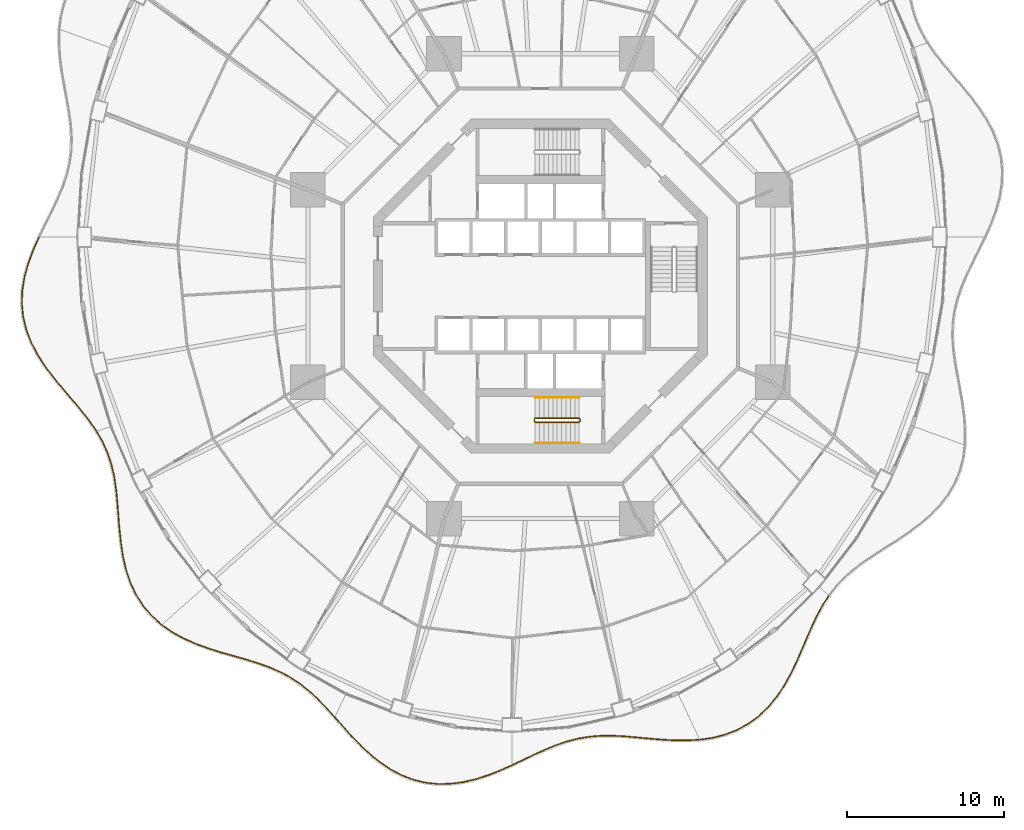
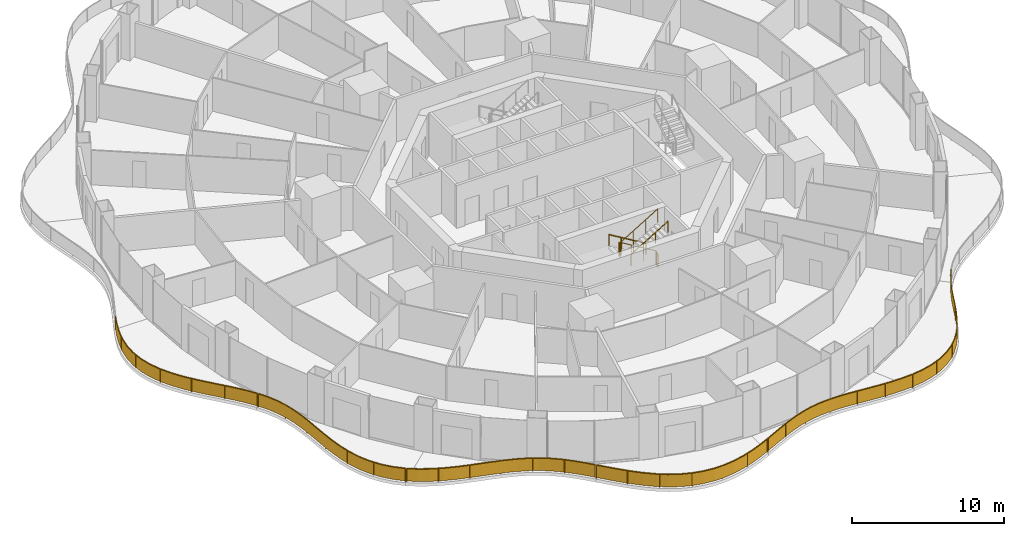
# One storey, part 20 of 22: 9 railings.
"""IFC4 building model written with IfcOpenShell, lengths in metres."""

from ifc_helpers import new_model, si_unit, direction, frame, origin, origin_2d, place, context, subcontext, project, spatial, polyline, rectangle, circle, outline, extrude, material, type_object, element, save


model = new_model("IFC4")

# Units and contexts
model_context = context("Model", 3, precision=1e-05, world=origin(), true_north=direction((0.0, 1.0)))
body_context = subcontext(model_context, "Body", "Model", "MODEL_VIEW")
ifc_project = project(units=[si_unit("LENGTHUNIT", "METRE"), si_unit("AREAUNIT", "SQUARE_METRE"), si_unit("VOLUMEUNIT", "CUBIC_METRE"), si_unit("PLANEANGLEUNIT", "RADIAN"), si_unit("MASSUNIT", "GRAM", prefix="KILO")], contexts=[model_context])

# Site, building, storey
site_placement = place(None, origin())
site = spatial("IfcSite", under=ifc_project, at=site_placement, CompositionType="ELEMENT")
building_placement = place(site_placement, origin())
building = spatial("IfcBuilding", under=site, at=building_placement, Name="Nagisa Residences", CompositionType="ELEMENT")
storey_placement = place(building_placement, frame((0.0, 0.0, 95.5)))
storey = spatial("IfcBuildingStorey", under=building, at=storey_placement, Name="L23", CompositionType="ELEMENT", Elevation=95.5)

# Railings
ifc_material_1 = material(Name="Stainless steel 316", Category="steel")
railing_type_1 = type_object("IfcRailingType", Name="BALCONY GUARD 1100", PredefinedType="BALUSTRADE", material=ifc_material_1)
railing_1_placement = place(storey_placement, frame((-31.89794921875, 3.082763671875, 0.0)))
element("IfcRailing", 1, at=railing_1_placement, inside=storey, type_object=railing_type_1, Name="guard:L23:bal08-0", PredefinedType="BALUSTRADE", context=body_context, shape_type="SweptSolid", body=[
    extrude(outline(polyline([(-0.32958984375, -0.798583984375), (0.02294921875, -0.01025390625), (-0.02294921875, 0.01025390625), (-0.3759765625, -0.779541015625), (-0.69140625, -1.62646484375), (-0.929443359375, -2.484130859375), (-1.0712890625, -3.346923828125), (-1.10302734375, -4.207275390625), (-1.0185546875, -5.044677734375), (-0.81494140625, -5.87939453125), (-0.50048828125, -6.690673828125), (-0.08837890625, -7.4755859375), (0.403076171875, -8.231201171875), (0.947509765625, -8.945068359375), (1.526123046875, -9.647216796875), (2.1103515625, -10.330078125), (2.6748046875, -11.001708984375), (3.197998046875, -11.6708984375), (3.6396484375, -12.31298828125), (3.6806640625, -12.28466796875), (3.238525390625, -11.64111328125), (2.7138671875, -10.969970703125), (2.1484375, -10.2978515625), (1.564697265625, -9.614990234375), (0.986572265625, -8.913818359375), (0.444091796875, -8.202392578125), (-0.044921875, -7.4501953125), (-0.455078125, -6.670166015625), (-0.76708984375, -5.8642578125), (-0.96923828125, -5.036376953125), (-1.052734375, -4.205810546875), (-1.021484375, -3.351806640625), (-0.880615234375, -2.494873046875), (-0.6435546875, -1.64208984375), (-0.32958984375, -0.798583984375)])), frame((0.0, 0.0, 1.050048828125)), (0.0, 0.0, 1.0), 0.050048828125),
    extrude(outline(polyline([(-0.34619140625, -0.791748046875), (0.00634765625, -0.0029296875), (-0.00634765625, 0.0029296875), (-0.359375, -0.786376953125), (-0.674072265625, -1.632080078125), (-0.911865234375, -2.488037109375), (-1.053466796875, -3.3486328125), (-1.0849609375, -4.206787109375), (-1.000732421875, -5.041748046875), (-0.797607421875, -5.8740234375), (-0.484130859375, -6.683349609375), (-0.07275390625, -7.466552734375), (0.41796875, -8.220947265625), (0.961669921875, -8.933837890625), (1.5400390625, -9.635498046875), (2.1240234375, -10.318603515625), (2.68896484375, -10.990234375), (3.212646484375, -11.66015625), (3.654296875, -12.302734375), (3.666015625, -12.294921875), (3.223876953125, -11.65185546875), (2.69970703125, -10.9814453125), (2.134765625, -10.309326171875), (1.55078125, -9.626708984375), (0.972412109375, -8.925048828125), (0.42919921875, -8.212646484375), (-0.060546875, -7.459228515625), (-0.471435546875, -6.677490234375), (-0.784423828125, -5.86962890625), (-0.987060546875, -5.039306640625), (-1.07080078125, -4.206298828125), (-1.039306640625, -3.35009765625), (-0.898193359375, -2.490966796875), (-0.660888671875, -1.636474609375), (-0.34619140625, -0.791748046875)])), frame((0.0, 0.0, 0.06005859375)), (0.0, 0.0, 1.0), 0.989990234375),
    extrude(rectangle(XDim=0.0400390625, YDim=0.0400390625, at=origin_2d()), origin(), (0.0, 0.0, 1.0), 1.050048828125),
    extrude(rectangle(XDim=0.0400390625, YDim=0.0400390625, at=origin_2d()), frame((-0.816650390625, -2.171142578125, 0.0)), (0.0, 0.0, 1.0), 1.050048828125),
    extrude(rectangle(XDim=0.0400390625, YDim=0.0400390625, at=origin_2d()), frame((-1.051513671875, -4.46875, 0.0)), (0.0, 0.0, 1.0), 1.050048828125),
    extrude(rectangle(XDim=0.0400390625, YDim=0.0400390625, at=origin_2d()), frame((-0.4658203125, -6.703369140625, 0.0)), (0.0, 0.0, 1.0), 1.050048828125),
    extrude(rectangle(XDim=0.0400390625, YDim=0.0400390625, at=origin_2d()), frame((0.766845703125, -8.666748046875, 0.0)), (0.0, 0.0, 1.0), 1.050048828125),
    extrude(rectangle(XDim=0.0400390625, YDim=0.0400390625, at=origin_2d()), frame((2.24853515625, -10.455810546875, 0.0)), (0.0, 0.0, 1.0), 1.050048828125),
    extrude(rectangle(XDim=0.0400390625, YDim=0.0400390625, at=origin_2d()), frame((3.66015625, -12.298828125, 0.0)), (0.0, 0.0, 1.0), 1.050048828125),
])
railing_2_placement = place(storey_placement, frame((-28.198486328125, -9.27490234375, 0.0)))
element("IfcRailing", 2, at=railing_2_placement, inside=storey, type_object=railing_type_1, Name="guard:L23:bal09-0", PredefinedType="BALUSTRADE", context=body_context, shape_type="SweptSolid", body=[
    extrude(outline(polyline([(0.3857421875, -0.625732421875), (0.021728515625, 0.012451171875), (-0.021728515625, -0.012451171875), (0.3408203125, -0.648193359375), (0.652099609375, -1.34423828125), (0.892578125, -2.07080078125), (1.068359375, -2.83154296875), (1.191162109375, -3.6279296875), (1.27001953125, -4.444091796875), (1.3369140625, -5.30078125), (1.40625, -6.176025390625), (1.499267578125, -7.05859375), (1.636474609375, -7.93505859375), (1.828125, -8.77880859375), (2.104736328125, -9.599609375), (2.46826171875, -10.371826171875), (2.923583984375, -11.0830078125), (3.470947265625, -11.724609375), (4.06884765625, -12.258056640625), (4.10205078125, -12.220947265625), (3.506591796875, -11.689453125), (2.964111328125, -11.05322265625), (2.51220703125, -10.347412109375), (2.151123046875, -9.5810546875), (1.87646484375, -8.76513671875), (1.685791015625, -7.92578125), (1.549072265625, -7.05224609375), (1.4560546875, -6.171630859375), (1.38671875, -5.296875), (1.31982421875, -4.439697265625), (1.240966796875, -3.62158203125), (1.11767578125, -2.822265625), (0.94091796875, -2.05712890625), (0.698974609375, -1.326171875), (0.3857421875, -0.625732421875)])), frame((0.0, 0.0, 1.050048828125)), (0.0, 0.0, 1.0), 0.050048828125),
    extrude(outline(polyline([(0.36962890625, -0.6337890625), (0.006103515625, 0.00341796875), (-0.006103515625, -0.00341796875), (0.35693359375, -0.64013671875), (0.6689453125, -1.337646484375), (0.909912109375, -2.06591796875), (1.086181640625, -2.828125), (1.209228515625, -3.625732421875), (1.287841796875, -4.4423828125), (1.354736328125, -5.29931640625), (1.424072265625, -6.174560546875), (1.517333984375, -7.056396484375), (1.654296875, -7.931640625), (1.845458984375, -8.77392578125), (2.121337890625, -9.593017578125), (2.484130859375, -10.363037109375), (2.938232421875, -11.072265625), (3.483642578125, -11.7119140625), (4.080810546875, -12.24462890625), (4.090087890625, -12.234375), (3.493896484375, -11.7021484375), (2.949462890625, -11.06396484375), (2.496337890625, -10.356201171875), (2.134521484375, -9.587646484375), (1.859130859375, -8.77001953125), (1.66796875, -7.92919921875), (1.531005859375, -7.054443359375), (1.438232421875, -6.173095703125), (1.368896484375, -5.29833984375), (1.302001953125, -4.44140625), (1.222900390625, -3.623779296875), (1.099853515625, -2.82568359375), (0.923583984375, -2.06201171875), (0.68212890625, -1.332763671875), (0.36962890625, -0.6337890625)])), frame((0.0, 0.0, 0.06005859375)), (0.0, 0.0, 1.0), 0.989990234375),
    extrude(rectangle(XDim=0.0400390625, YDim=0.0400390625, at=origin_2d()), origin(), (0.0, 0.0, 1.0), 1.050048828125),
    extrude(rectangle(XDim=0.0400390625, YDim=0.0400390625, at=origin_2d()), frame((0.8984375, -2.008544921875, 0.0)), (0.0, 0.0, 1.0), 1.050048828125),
    extrude(rectangle(XDim=0.0400390625, YDim=0.0400390625, at=origin_2d()), frame((1.269775390625, -4.1806640625, 0.0)), (0.0, 0.0, 1.0), 1.050048828125),
    extrude(rectangle(XDim=0.0400390625, YDim=0.0400390625, at=origin_2d()), frame((1.452880859375, -6.38037109375, 0.0)), (0.0, 0.0, 1.0), 1.050048828125),
    extrude(rectangle(XDim=0.0400390625, YDim=0.0400390625, at=origin_2d()), frame((1.803466796875, -8.557373046875, 0.0)), (0.0, 0.0, 1.0), 1.050048828125),
    extrude(rectangle(XDim=0.0400390625, YDim=0.0400390625, at=origin_2d()), frame((2.6376953125, -10.58984375, 0.0)), (0.0, 0.0, 1.0), 1.050048828125),
    extrude(rectangle(XDim=0.0400390625, YDim=0.0400390625, at=origin_2d()), frame((4.08544921875, -12.239501953125, 0.0)), (0.0, 0.0, 1.0), 1.050048828125),
])
railing_3_placement = place(storey_placement, frame((-24.05224609375, -21.56201171875, 0.0)))
element("IfcRailing", 3, at=railing_3_placement, inside=storey, type_object=railing_type_1, Name="guard:L23:bal10-0", PredefinedType="BALUSTRADE", context=body_context, shape_type="SweptSolid", body=[
    extrude(outline(polyline([(0.6474609375, -0.418701171875), (0.01416015625, 0.0205078125), (-0.01416015625, -0.0205078125), (0.62109375, -0.461181640625), (1.351806640625, -0.864013671875), (2.125, -1.207275390625), (2.925048828125, -1.500732421875), (3.736572265625, -1.757080078125), (4.531982421875, -1.980712890625), (5.322509765625, -2.2080078125), (6.085205078125, -2.445068359375), (6.8125, -2.70654296875), (7.500244140625, -3.005615234375), (8.13427734375, -3.34375), (8.744873046875, -3.74560546875), (9.324462890625, -4.204833984375), (9.8818359375, -4.71923828125), (10.4267578125, -5.282470703125), (10.9384765625, -5.851318359375), (10.9755859375, -5.817626953125), (10.46337890625, -5.248291015625), (9.9169921875, -4.68359375), (9.357177734375, -4.166748046875), (8.774169921875, -3.705078125), (8.15966796875, -3.30078125), (7.522216796875, -2.960693359375), (6.8310546875, -2.66015625), (6.101318359375, -2.397705078125), (5.336669921875, -2.16015625), (4.545654296875, -1.932373046875), (3.750732421875, -1.709228515625), (2.941162109375, -1.453369140625), (2.1435546875, -1.160888671875), (1.374267578125, -0.819091796875), (0.6474609375, -0.418701171875)])), frame((0.0, 0.0, 1.050048828125)), (0.0, 0.0, 1.0), 0.050048828125),
    extrude(outline(polyline([(0.637939453125, -0.43408203125), (0.00390625, 0.005859375), (-0.00390625, -0.005859375), (0.630615234375, -0.44580078125), (1.35986328125, -0.847900390625), (2.131591796875, -1.190673828125), (2.930908203125, -1.483642578125), (3.74169921875, -1.73974609375), (4.536865234375, -1.96337890625), (5.32763671875, -2.190673828125), (6.091064453125, -2.427978515625), (6.819091796875, -2.68994140625), (7.50830078125, -2.989501953125), (8.143310546875, -3.328369140625), (8.75537109375, -3.73095703125), (9.336181640625, -4.191162109375), (9.89453125, -4.70654296875), (10.43994140625, -5.270263671875), (10.951904296875, -5.839111328125), (10.962158203125, -5.829833984375), (10.4501953125, -5.260498046875), (9.904296875, -4.6962890625), (9.345458984375, -4.180419921875), (8.763671875, -3.7197265625), (8.150634765625, -3.316162109375), (7.51416015625, -2.976806640625), (6.824462890625, -2.6767578125), (6.095458984375, -2.414794921875), (5.33154296875, -2.177490234375), (4.540771484375, -1.94970703125), (3.74560546875, -1.7265625), (2.935302734375, -1.470458984375), (2.136962890625, -1.177490234375), (1.3662109375, -0.835205078125), (0.637939453125, -0.43408203125)])), frame((0.0, 0.0, 0.06005859375)), (0.0, 0.0, 1.0), 0.989990234375),
    extrude(rectangle(XDim=0.0400390625, YDim=0.0400390625, at=origin_2d()), origin(), (0.0, 0.0, 1.0), 1.050048828125),
    extrude(rectangle(XDim=0.0400390625, YDim=0.0400390625, at=origin_2d()), frame((1.82080078125, -1.044921875, 0.0)), (0.0, 0.0, 1.0), 1.050048828125),
    extrude(rectangle(XDim=0.0400390625, YDim=0.0400390625, at=origin_2d()), frame((3.80224609375, -1.74951171875, 0.0)), (0.0, 0.0, 1.0), 1.050048828125),
    extrude(rectangle(XDim=0.0400390625, YDim=0.0400390625, at=origin_2d()), frame((5.8232421875, -2.33740234375, 0.0)), (0.0, 0.0, 1.0), 1.050048828125),
    extrude(rectangle(XDim=0.0400390625, YDim=0.0400390625, at=origin_2d()), frame((7.7724609375, -3.12255859375, 0.0)), (0.0, 0.0, 1.0), 1.050048828125),
    extrude(rectangle(XDim=0.0400390625, YDim=0.0400390625, at=origin_2d()), frame((9.491943359375, -4.3251953125, 0.0)), (0.0, 0.0, 1.0), 1.050048828125),
    extrude(rectangle(XDim=0.0400390625, YDim=0.0400390625, at=origin_2d()), frame((10.95703125, -5.83447265625, 0.0)), (0.0, 0.0, 1.0), 1.050048828125),
])
railing_4_placement = place(storey_placement, frame((-13.046630859375, -27.453857421875, 0.0)))
element("IfcRailing", 4, at=railing_4_placement, inside=storey, type_object=railing_type_1, Name="guard:L23:bal11-0", PredefinedType="BALUSTRADE", context=body_context, shape_type="SweptSolid", body=[
    extrude(outline(polyline([(0.51904296875, -0.552490234375), (0.018798828125, 0.0166015625), (-0.018798828125, -0.0166015625), (0.48193359375, -0.585693359375), (1.032470703125, -1.192626953125), (1.60888671875, -1.78759765625), (2.217041015625, -2.3525390625), (2.860107421875, -2.869140625), (3.523193359375, -3.3154296875), (4.238037109375, -3.688232421875), (4.984619140625, -3.970458984375), (5.75732421875, -4.155517578125), (6.549072265625, -4.240478515625), (7.335693359375, -4.224365234375), (8.140380859375, -4.118896484375), (8.9423828125, -3.9326171875), (9.733642578125, -3.67919921875), (10.50927734375, -3.375244140625), (11.222412109375, -3.055908203125), (11.201904296875, -3.010009765625), (10.48974609375, -3.328857421875), (9.717041015625, -3.6318359375), (8.92919921875, -3.88427734375), (8.131591796875, -4.069580078125), (7.331787109375, -4.174560546875), (6.551025390625, -4.190185546875), (5.765625, -4.106201171875), (4.999267578125, -3.922607421875), (4.258544921875, -3.642333984375), (3.548583984375, -3.2724609375), (2.889892578125, -2.82861328125), (2.249755859375, -2.314453125), (1.64404296875, -1.751953125), (1.069091796875, -1.158447265625), (0.51904296875, -0.552490234375)])), frame((0.0, 0.0, 1.050048828125)), (0.0, 0.0, 1.0), 0.050048828125),
    extrude(outline(polyline([(0.505615234375, -0.564453125), (0.00537109375, 0.004638671875), (-0.00537109375, -0.004638671875), (0.495361328125, -0.57373046875), (1.045654296875, -1.180419921875), (1.62158203125, -1.774658203125), (2.228759765625, -2.3388671875), (2.870849609375, -2.8544921875), (3.5322265625, -3.300048828125), (4.245361328125, -3.671630859375), (4.989990234375, -3.953125), (5.76025390625, -4.1376953125), (6.5498046875, -4.222412109375), (7.334228515625, -4.20654296875), (8.13720703125, -4.10107421875), (8.937744140625, -3.915283203125), (9.727783203125, -3.662109375), (10.502197265625, -3.3583984375), (11.215087890625, -3.039306640625), (11.209228515625, -3.026611328125), (10.496826171875, -3.345703125), (9.722900390625, -3.64892578125), (8.933837890625, -3.901611328125), (8.134765625, -4.08740234375), (7.333251953125, -4.1923828125), (6.55029296875, -4.208251953125), (5.7626953125, -4.1240234375), (4.993896484375, -3.93994140625), (4.251220703125, -3.658935546875), (3.53955078125, -3.287841796875), (2.879150390625, -2.84326171875), (2.238037109375, -2.328125), (1.63134765625, -1.764892578125), (1.055908203125, -1.170654296875), (0.505615234375, -0.564453125)])), frame((0.0, 0.0, 0.06005859375)), (0.0, 0.0, 1.0), 0.989990234375),
    extrude(rectangle(XDim=0.0400390625, YDim=0.0400390625, at=origin_2d()), origin(), (0.0, 0.0, 1.0), 1.050048828125),
    extrude(rectangle(XDim=0.0400390625, YDim=0.0400390625, at=origin_2d()), frame((1.448486328125, -1.586181640625, 0.0)), (0.0, 0.0, 1.0), 1.050048828125),
    extrude(rectangle(XDim=0.0400390625, YDim=0.0400390625, at=origin_2d()), frame((3.0751953125, -2.983642578125, 0.0)), (0.0, 0.0, 1.0), 1.050048828125),
    extrude(rectangle(XDim=0.0400390625, YDim=0.0400390625, at=origin_2d()), frame((4.98681640625, -3.944580078125, 0.0)), (0.0, 0.0, 1.0), 1.050048828125),
    extrude(rectangle(XDim=0.0400390625, YDim=0.0400390625, at=origin_2d()), frame((7.108642578125, -4.2041015625, 0.0)), (0.0, 0.0, 1.0), 1.050048828125),
    extrude(rectangle(XDim=0.0400390625, YDim=0.0400390625, at=origin_2d()), frame((9.21484375, -3.819091796875, 0.0)), (0.0, 0.0, 1.0), 1.050048828125),
    extrude(rectangle(XDim=0.0400390625, YDim=0.0400390625, at=origin_2d()), frame((11.212158203125, -3.032958984375, 0.0)), (0.0, 0.0, 1.0), 1.050048828125),
])
railing_5_placement = place(storey_placement, frame((-1.765869140625, -30.453369140625, 0.0)))
element("IfcRailing", 5, at=railing_5_placement, inside=storey, type_object=railing_type_1, Name="guard:L23:bal12-0", PredefinedType="BALUSTRADE", context=body_context, shape_type="SweptSolid", body=[
    extrude(outline(polyline([(0.68310546875, 0.35302734375), (-0.0107421875, 0.022705078125), (0.0107421875, -0.022705078125), (0.70458984375, 0.3076171875), (1.4228515625, 0.6494140625), (2.1259765625, 0.9677734375), (2.818115234375, 1.247802734375), (3.505126953125, 1.47900390625), (4.176513671875, 1.6513671875), (4.87353515625, 1.76708984375), (5.5849609375, 1.825927734375), (6.315673828125, 1.833251953125), (7.068359375, 1.799560546875), (7.827392578125, 1.732421875), (8.624755859375, 1.658203125), (9.439453125, 1.589111328125), (10.265380859375, 1.54248046875), (11.094482421875, 1.53564453125), (11.869873046875, 1.57958984375), (11.866943359375, 1.62939453125), (11.093505859375, 1.5859375), (10.266845703125, 1.59228515625), (9.44287109375, 1.638916015625), (8.629150390625, 1.7080078125), (7.831787109375, 1.7822265625), (7.07177734375, 1.849365234375), (6.316650390625, 1.883544921875), (5.58251953125, 1.875732421875), (4.8671875, 1.81689453125), (4.166259765625, 1.7001953125), (3.490966796875, 1.52685546875), (2.800537109375, 1.294677734375), (2.1064453125, 1.013671875), (1.40185546875, 0.69482421875), (0.68310546875, 0.35302734375)])), frame((0.0, 0.0, 1.050048828125)), (0.0, 0.0, 1.0), 0.050048828125),
    extrude(outline(polyline([(0.69091796875, 0.336669921875), (-0.0029296875, 0.00634765625), (0.0029296875, -0.00634765625), (0.69677734375, 0.323974609375), (1.415283203125, 0.665771484375), (2.118896484375, 0.984375), (2.811767578125, 1.2646484375), (3.5, 1.49609375), (4.1728515625, 1.6689453125), (4.871337890625, 1.78515625), (5.583984375, 1.84375), (6.316162109375, 1.851318359375), (7.069580078125, 1.8173828125), (7.828857421875, 1.750244140625), (8.626220703125, 1.676025390625), (9.440673828125, 1.60693359375), (10.265869140625, 1.560302734375), (11.09423828125, 1.5537109375), (11.868896484375, 1.597412109375), (11.867919921875, 1.611572265625), (11.09375, 1.56787109375), (10.266357421875, 1.574462890625), (9.441650390625, 1.62109375), (8.627685546875, 1.690185546875), (7.830322265625, 1.764404296875), (7.070556640625, 1.83154296875), (6.316162109375, 1.865478515625), (5.58349609375, 1.85791015625), (4.869384765625, 1.798828125), (4.169921875, 1.6826171875), (3.49609375, 1.509765625), (2.806884765625, 1.27783203125), (2.113525390625, 0.9970703125), (1.409423828125, 0.678466796875), (0.69091796875, 0.336669921875)])), frame((0.0, 0.0, 0.06005859375)), (0.0, 0.0, 1.0), 0.989990234375),
    extrude(rectangle(XDim=0.0400390625, YDim=0.0400390625, at=origin_2d()), origin(), (0.0, 0.0, 1.0), 1.050048828125),
    extrude(rectangle(XDim=0.0400390625, YDim=0.0400390625, at=origin_2d()), frame((1.843994140625, 0.867431640625, 0.0)), (0.0, 0.0, 1.0), 1.050048828125),
    extrude(rectangle(XDim=0.0400390625, YDim=0.0400390625, at=origin_2d()), frame((3.754638671875, 1.56884765625, 0.0)), (0.0, 0.0, 1.0), 1.050048828125),
    extrude(rectangle(XDim=0.0400390625, YDim=0.0400390625, at=origin_2d()), frame((5.76708984375, 1.852783203125, 0.0)), (0.0, 0.0, 1.0), 1.050048828125),
    extrude(rectangle(XDim=0.0400390625, YDim=0.0400390625, at=origin_2d()), frame((7.801513671875, 1.759765625, 0.0)), (0.0, 0.0, 1.0), 1.050048828125),
    extrude(rectangle(XDim=0.0400390625, YDim=0.0400390625, at=origin_2d()), frame((9.832275390625, 1.591796875, 0.0)), (0.0, 0.0, 1.0), 1.050048828125),
    extrude(rectangle(XDim=0.0400390625, YDim=0.0400390625, at=origin_2d()), frame((11.868408203125, 1.6044921875, 0.0)), (0.0, 0.0, 1.0), 1.050048828125),
])
railing_6_placement = place(storey_placement, frame((10.179443359375, -28.841796875, 0.0)))
element("IfcRailing", 6, at=railing_6_placement, inside=storey, type_object=railing_type_1, Name="guard:L23:bal13-0", PredefinedType="BALUSTRADE", context=body_context, shape_type="SweptSolid", body=[
    extrude(outline(polyline([(0.782958984375, 0.138427734375), (-0.003662109375, 0.024658203125), (0.003662109375, -0.024658203125), (0.792724609375, 0.089111328125), (1.59912109375, 0.297607421875), (2.364501953125, 0.59765625), (3.079345703125, 0.9912109375), (3.735107421875, 1.474609375), (4.318359375, 2.034912109375), (4.851318359375, 2.67578125), (5.32421875, 3.375244140625), (5.744140625, 4.116943359375), (6.1201171875, 4.88427734375), (6.452392578125, 5.6484375), (6.779296875, 6.4150390625), (7.103759765625, 7.15966796875), (7.4404296875, 7.8701171875), (7.803466796875, 8.538818359375), (8.181640625, 9.126708984375), (8.1396484375, 9.153564453125), (7.760498046875, 8.564208984375), (7.39599609375, 7.892578125), (7.058349609375, 7.18017578125), (6.7333984375, 6.43505859375), (6.406494140625, 5.66845703125), (6.07470703125, 4.9052734375), (5.69970703125, 4.140380859375), (5.28173828125, 3.401611328125), (4.811279296875, 2.7060546875), (4.28173828125, 2.069091796875), (3.702880859375, 1.51318359375), (3.052490234375, 1.03369140625), (2.343017578125, 0.64306640625), (1.58349609375, 0.345458984375), (0.782958984375, 0.138427734375)])), frame((0.0, 0.0, 1.050048828125)), (0.0, 0.0, 1.0), 0.050048828125),
    extrude(outline(polyline([(0.786376953125, 0.12060546875), (-0.0009765625, 0.0068359375), (0.0009765625, -0.0068359375), (0.789306640625, 0.10693359375), (1.593505859375, 0.31494140625), (2.356689453125, 0.614013671875), (3.069580078125, 1.006591796875), (3.7236328125, 1.488525390625), (4.30517578125, 2.047119140625), (4.8369140625, 2.686767578125), (5.308837890625, 3.384765625), (5.72802734375, 4.12548828125), (6.103759765625, 4.891845703125), (6.435791015625, 5.65576171875), (6.7626953125, 6.42236328125), (7.08740234375, 7.1669921875), (7.424560546875, 7.878173828125), (7.7880859375, 8.5478515625), (8.16650390625, 9.13623046875), (8.15478515625, 9.14404296875), (7.77587890625, 8.55517578125), (7.411865234375, 7.884521484375), (7.07470703125, 7.1728515625), (6.75, 6.427734375), (6.423095703125, 5.6611328125), (6.091064453125, 4.897705078125), (5.7158203125, 4.1318359375), (5.297119140625, 3.39208984375), (4.82568359375, 2.695068359375), (4.294921875, 2.056884765625), (3.71435546875, 1.499267578125), (3.062255859375, 1.018310546875), (2.350830078125, 0.626708984375), (1.589111328125, 0.328125), (0.786376953125, 0.12060546875)])), frame((0.0, 0.0, 0.06005859375)), (0.0, 0.0, 1.0), 0.989990234375),
    extrude(rectangle(XDim=0.0400390625, YDim=0.0400390625, at=origin_2d()), origin(), (0.0, 0.0, 1.0), 1.050048828125),
    extrude(rectangle(XDim=0.0400390625, YDim=0.0400390625, at=origin_2d()), frame((2.091552734375, 0.517578125, 0.0)), (0.0, 0.0, 1.0), 1.050048828125),
    extrude(rectangle(XDim=0.0400390625, YDim=0.0400390625, at=origin_2d()), frame((3.90478515625, 1.67236328125, 0.0)), (0.0, 0.0, 1.0), 1.050048828125),
    extrude(rectangle(XDim=0.0400390625, YDim=0.0400390625, at=origin_2d()), frame((5.2705078125, 3.340576171875, 0.0)), (0.0, 0.0, 1.0), 1.050048828125),
    extrude(rectangle(XDim=0.0400390625, YDim=0.0400390625, at=origin_2d()), frame((6.257568359375, 5.26318359375, 0.0)), (0.0, 0.0, 1.0), 1.050048828125),
    extrude(rectangle(XDim=0.0400390625, YDim=0.0400390625, at=origin_2d()), frame((7.1181640625, 7.248046875, 0.0)), (0.0, 0.0, 1.0), 1.050048828125),
    extrude(rectangle(XDim=0.0400390625, YDim=0.0400390625, at=origin_2d()), frame((8.16064453125, 9.14013671875, 0.0)), (0.0, 0.0, 1.0), 1.050048828125),
])
ifc_material_2 = material(Name="Stainless steel", Category="steel")
railing_type_2 = type_object("IfcRailingType", Name="Stair guard 1100", PredefinedType="GUARDRAIL", material=ifc_material_2)
railing_7_placement = place(storey_placement, frame((2.52490234375, -8.599609375, 0.0)))
element("IfcRailing", 7, at=railing_7_placement, inside=storey, type_object=railing_type_2, Name="L23 ST-S stair guard 1", PredefinedType="GUARDRAIL", context=body_context, shape_type="SweptSolid", body=[
    extrude(circle(Radius=0.02392578125, at=origin_2d()), frame((0.0, 0.0, 1.076171875), z_axis=(0.0, 1.0, 0.0), x_axis=(-1.0, 0.0, 0.0)), (0.0, 0.0, 1.0), 0.14990234375),
    extrude(circle(Radius=0.02392578125, at=origin_2d()), frame((0.0, 0.14990234375, 1.076171875), z_axis=(-0.273006030465, 0.27434429532, 0.922064485248), x_axis=(-0.708833529934, -0.705375805398, 0.0)), (0.0, 0.0, 1.0), 0.182373046875),
    extrude(circle(Radius=0.02392578125, at=origin_2d()), frame((-0.0498046875, 0.199951171875, 1.244140625), z_axis=(-0.857242210791, 0.0, 0.514913383045), x_axis=(0.0, -1.0, 0.0)), (0.0, 0.0, 1.0), 3.266357421875),
    extrude(circle(Radius=0.02392578125, at=origin_2d()), frame((-2.849853515625, 0.199951171875, 2.92626953125), z_axis=(-0.707106781187, -0.707106781187, 0.0), x_axis=(0.707106781187, -0.707106781187, 0.0)), (0.0, 0.0, 1.0), 0.07080078125),
    extrude(circle(Radius=0.02392578125, at=origin_2d()), frame((-2.89990234375, 0.14990234375, 2.92626953125), z_axis=(0.0, -1.0, 0.0), x_axis=(1.0, 0.0, 0.0)), (0.0, 0.0, 1.0), 0.14990234375),
    extrude(circle(Radius=0.02392578125, at=origin_2d()), frame((-2.89990234375, 0.0, 2.92626953125), z_axis=(0.274582412415, -0.274582412415, 0.921525364591), x_axis=(0.707106781187, 0.707106781187, 0.0)), (0.0, 0.0, 1.0), 0.182373046875),
    extrude(circle(Radius=0.02392578125, at=origin_2d()), frame((-2.849853515625, -0.050048828125, 3.09423828125), z_axis=(0.857242210791, 0.0, 0.514913383045), x_axis=(0.0, 1.0, 0.0)), (0.0, 0.0, 1.0), 3.266357421875),
    extrude(circle(Radius=0.02099609375, at=origin_2d()), origin(), (0.0, 0.0, 1.0), 1.052001953125),
    extrude(circle(Radius=0.02099609375, at=origin_2d()), frame((0.0, 0.14990234375, 0.0)), (0.0, 0.0, 1.0), 1.052001953125),
    extrude(circle(Radius=0.02099609375, at=origin_2d()), frame((-0.0498046875, 0.199951171875, 0.168212890625)), (0.0, 0.0, 1.0), 1.052001953125),
    extrude(circle(Radius=0.02099609375, at=origin_2d()), frame((-0.983154296875, 0.199951171875, 0.728759765625)), (0.0, 0.0, 1.0), 1.052001953125),
    extrude(circle(Radius=0.02099609375, at=origin_2d()), frame((-1.91650390625, 0.199951171875, 1.28955078125)), (0.0, 0.0, 1.0), 1.052001953125),
    extrude(circle(Radius=0.02099609375, at=origin_2d()), frame((-2.849853515625, 0.199951171875, 1.85009765625)), (0.0, 0.0, 1.0), 1.052001953125),
    extrude(circle(Radius=0.02099609375, at=origin_2d()), frame((-2.89990234375, 0.14990234375, 1.85009765625)), (0.0, 0.0, 1.0), 1.052001953125),
    extrude(circle(Radius=0.02099609375, at=origin_2d()), frame((-2.89990234375, 0.0, 1.85009765625)), (0.0, 0.0, 1.0), 1.052001953125),
    extrude(circle(Radius=0.02099609375, at=origin_2d()), frame((-2.849853515625, -0.050048828125, 2.01806640625)), (0.0, 0.0, 1.0), 1.052001953125),
    extrude(circle(Radius=0.02099609375, at=origin_2d()), frame((-1.91650390625, -0.050048828125, 2.57861328125)), (0.0, 0.0, 1.0), 1.052001953125),
    extrude(circle(Radius=0.02099609375, at=origin_2d()), frame((-0.983154296875, -0.050048828125, 3.139404296875)), (0.0, 0.0, 1.0), 1.052001953125),
    extrude(circle(Radius=0.02099609375, at=origin_2d()), frame((-0.0498046875, -0.050048828125, 3.699951171875)), (0.0, 0.0, 1.0), 1.052001953125),
])
ifc_material_3 = material(Name="Stainless steel", Category="steel")
railing_type_3 = type_object("IfcRailingType", Name="Stair handrail 900", PredefinedType="HANDRAIL", material=ifc_material_3)
railing_8_placement = place(storey_placement, frame((2.47509765625, -7.07470703125, 0.168212890625)))
element("IfcRailing", 8, at=railing_8_placement, inside=storey, type_object=railing_type_3, Name="L23 ST-S stair handrail 1", PredefinedType="HANDRAIL", context=body_context, shape_type="SweptSolid", body=[
    extrude(circle(Radius=0.02392578125, at=origin_2d()), frame((0.0, 0.0, 0.8759765625), z_axis=(-0.857242210791, 0.0, 0.514913383045), x_axis=(0.0, -1.0, 0.0)), (0.0, 0.0, 1.0), 3.266357421875),
    extrude(circle(Radius=0.02099609375, at=origin_2d()), origin(), (0.0, 0.0, 1.0), 0.851806640625),
    extrude(circle(Radius=0.02099609375, at=origin_2d()), frame((-0.933349609375, 0.0, 0.560546875)), (0.0, 0.0, 1.0), 0.851806640625),
    extrude(circle(Radius=0.02099609375, at=origin_2d()), frame((-1.86669921875, 0.0, 1.121337890625)), (0.0, 0.0, 1.0), 0.851806640625),
    extrude(circle(Radius=0.02099609375, at=origin_2d()), frame((-2.800048828125, 0.0, 1.681884765625)), (0.0, 0.0, 1.0), 0.851806640625),
])
railing_9_placement = place(storey_placement, frame((-0.324951171875, -9.974609375, 2.01806640625)))
element("IfcRailing", 9, at=railing_9_placement, inside=storey, type_object=railing_type_3, Name="L23 ST-S stair handrail 2", PredefinedType="HANDRAIL", context=body_context, shape_type="SweptSolid", body=[
    extrude(circle(Radius=0.02392578125, at=origin_2d()), frame((0.0, 0.0, 0.8759765625), z_axis=(0.857242210791, 0.0, 0.514913383045), x_axis=(0.0, 1.0, 0.0)), (0.0, 0.0, 1.0), 3.266357421875),
    extrude(circle(Radius=0.02099609375, at=origin_2d()), origin(), (0.0, 0.0, 1.0), 0.851806640625),
    extrude(circle(Radius=0.02099609375, at=origin_2d()), frame((0.933349609375, 0.0, 0.560546875)), (0.0, 0.0, 1.0), 0.851806640625),
    extrude(circle(Radius=0.02099609375, at=origin_2d()), frame((1.86669921875, 0.0, 1.121337890625)), (0.0, 0.0, 1.0), 0.851806640625),
    extrude(circle(Radius=0.02099609375, at=origin_2d()), frame((2.800048828125, 0.0, 1.681884765625)), (0.0, 0.0, 1.0), 0.851806640625),
])

save(model, "model.ifc")
